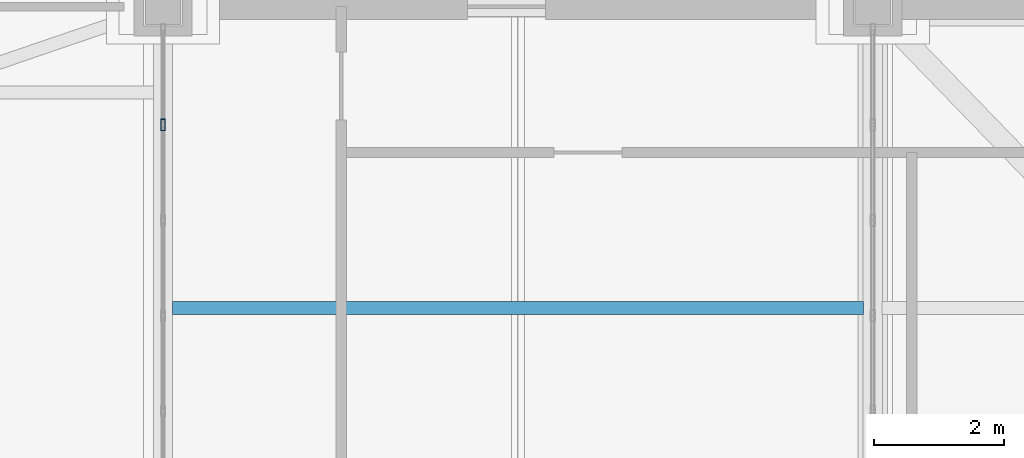
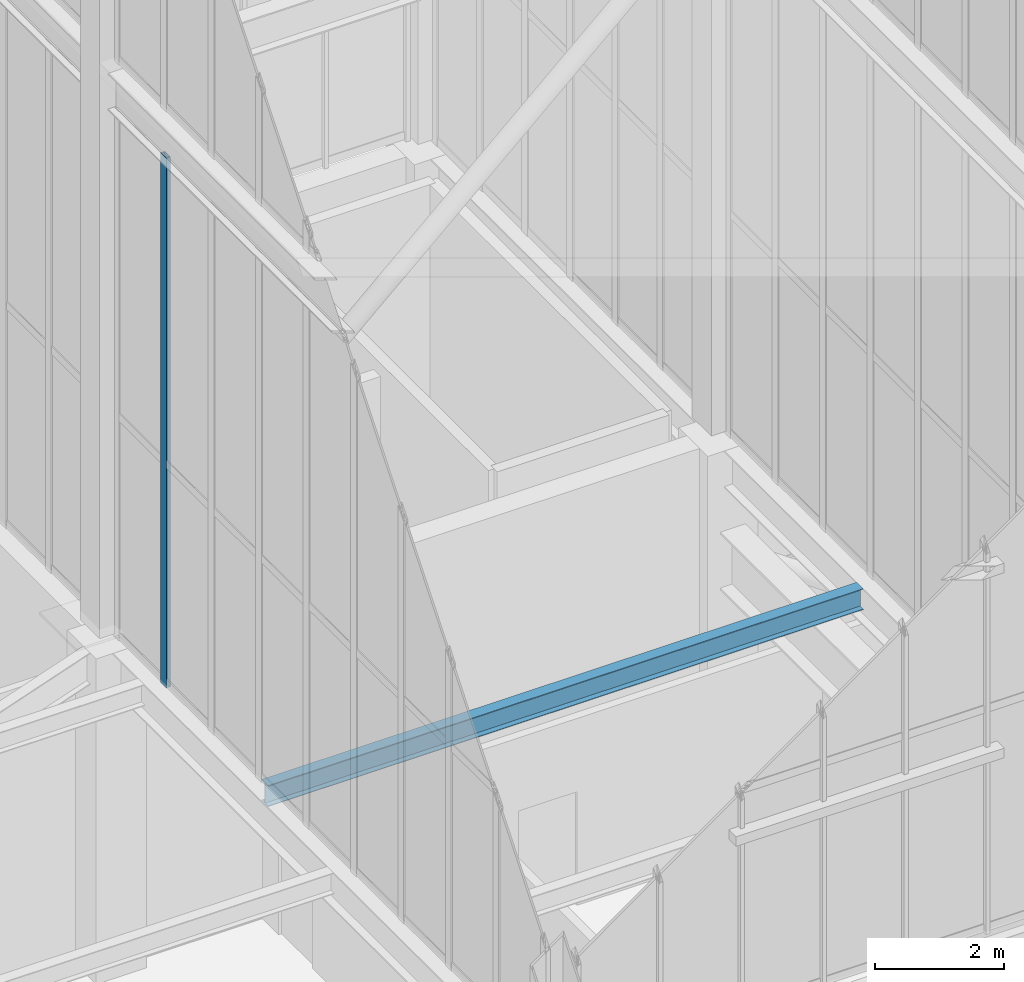
# One storey, part 8 of 135: 1 beam, 1 member, 1 element without a shape of its own.
"""IFC4 building model written with IfcOpenShell, lengths in metres."""

import ifcopenshell
import ifcopenshell.guid

model = None  # the IFC model being written
_history = None  # IfcOwnerHistory: only IFC2X3 demands one
_inside = {}  # id of a spatial element -> (the spatial element, [elements in it])
_under = {}  # id of a project, library or spatial element -> (it, [spatial elements below it])
_declared = {}  # id of a project -> (the project, [libraries it declares])
_typed = {}  # id of a type object -> (the type object, [elements of that type])
_made_of = {}  # id of a material, layer set ... -> (it, [elements and type objects made of it])


def new_model(schema):
    """Start an empty IFC model of exactly this schema.

    Asked for "IFC4X3", IfcOpenShell would pick the latest addendum, in which some entities
    have other attributes; the version numbers below select the first issue.
    IFC2X3 requires an IfcOwnerHistory on every rooted entity: one is made here for all.
    """
    global model, _history
    if schema == "IFC4X3":
        model = ifcopenshell.file(schema_version=(4, 3, 0, 0))
    else:
        model = ifcopenshell.file(schema=schema)
    _inside.clear()
    _under.clear()
    _declared.clear()
    _typed.clear()
    _made_of.clear()
    _history = None
    if model.schema == "IFC2X3":
        org = make("IfcOrganization", Name="unknown")
        user = make(
            "IfcPersonAndOrganization",
            ThePerson=make("IfcPerson", FamilyName="unknown"),
            TheOrganization=org,
        )
        app = make(
            "IfcApplication",
            ApplicationDeveloper=org,
            Version="unknown",
            ApplicationFullName="unknown",
            ApplicationIdentifier="unknown",
        )
        _history = make(
            "IfcOwnerHistory",
            OwningUser=user,
            OwningApplication=app,
            ChangeAction="ADDED",
            CreationDate=0,
        )
    return model


def make(cls, **values):
    """One entity of the class cls with the attributes given. An attribute that is None is left unset."""
    return model.create_entity(
        cls, **{name: value for name, value in values.items() if value is not None}
    )


def rooted(cls, **values):
    """An entity with a GlobalId (a new one), such as an element, a storey or a relation."""
    return make(cls, GlobalId=ifcopenshell.guid.new(), OwnerHistory=_history, **values)


def si_unit(unit_type, name, prefix=None):
    """IfcSIUnit, for example si_unit("LENGTHUNIT", "METRE", prefix="MILLI")."""
    return make("IfcSIUnit", UnitType=unit_type, Prefix=prefix, Name=name)


def assignment(units):
    """IfcUnitAssignment: the units of a project."""
    return None if units is None else make("IfcUnitAssignment", Units=units)


def point(xyz):
    """IfcCartesianPoint."""
    return None if xyz is None else make("IfcCartesianPoint", Coordinates=xyz)


def direction(xyz):
    """IfcDirection."""
    return None if xyz is None else make("IfcDirection", DirectionRatios=xyz)


def frame(location, z_axis=None, x_axis=None):
    """IfcAxis2Placement3D, a coordinate frame: its origin and axes. An axis left out is left unset."""
    return make(
        "IfcAxis2Placement3D",
        Location=point(location),
        Axis=direction(z_axis),
        RefDirection=direction(x_axis),
    )


def frame_2d(location, x_axis=None):
    """IfcAxis2Placement2D, a coordinate frame in the plane: its origin and x axis."""
    return make(
        "IfcAxis2Placement2D", Location=point(location), RefDirection=direction(x_axis)
    )


def origin():
    """The frame at (0, 0, 0) with its axes left unset."""
    return frame((0.0, 0.0, 0.0))


def origin_2d():
    """The frame at (0, 0) in the plane with its x axis left unset."""
    return frame_2d((0.0, 0.0))


def place(relative_to, where):
    """IfcLocalPlacement: puts the frame where relative to a parent placement (None: the world)."""
    return make(
        "IfcLocalPlacement", PlacementRelTo=relative_to, RelativePlacement=where
    )


def context(
    kind, dimensions, precision=None, world=None, true_north=None, identifier=None
):
    """IfcGeometricRepresentationContext, for example the 3D "Model" context."""
    return make(
        "IfcGeometricRepresentationContext",
        ContextIdentifier=identifier,
        ContextType=kind,
        CoordinateSpaceDimension=dimensions,
        Precision=precision,
        WorldCoordinateSystem=world,
        TrueNorth=true_north,
    )


def subcontext(parent, identifier, kind, view, scale=None):
    """IfcGeometricRepresentationSubContext, for example "Body" below "Model"."""
    return make(
        "IfcGeometricRepresentationSubContext",
        ContextIdentifier=identifier,
        ContextType=kind,
        ParentContext=parent,
        TargetScale=scale,
        TargetView=view,
    )


def project(units=None, contexts=None):
    """IfcProject with its units and contexts."""
    return rooted(
        "IfcProject",
        Name="project",
        RepresentationContexts=contexts,
        UnitsInContext=assignment(units),
    )


def spatial(cls, under=None, at=None, **own):
    """A site, building, storey or space (cls), placed at a placement, below another one or the project."""
    s = rooted(cls, ObjectPlacement=at, **own)
    if under is not None:
        _under.setdefault(under.id(), (under, []))[1].append(s)
    return s


def profile(cls, at=None, kind="AREA", **sizes):
    """A parametric profile (cls). Its sizes go by their IFC names, for example OverallWidth=200.0."""
    return make(cls, ProfileType=kind, Position=at, **sizes)


def hollow_rectangle(**sizes):
    """IfcRectangleHollowProfileDef."""
    return profile("IfcRectangleHollowProfileDef", **sizes)


def i_section(**sizes):
    """IfcIShapeProfileDef."""
    return profile("IfcIShapeProfileDef", **sizes)


def extrude(swept, where, along, depth):
    """IfcExtrudedAreaSolid: the profile swept, set in the frame where, extruded along a direction by depth."""
    return make(
        "IfcExtrudedAreaSolid",
        SweptArea=swept,
        Position=where,
        ExtrudedDirection=direction(along),
        Depth=depth,
    )


def shape(context_of_items, identifier, shape_type, items):
    """IfcShapeRepresentation: the items that make up one representation, for example the "Body"."""
    return make(
        "IfcShapeRepresentation",
        ContextOfItems=context_of_items,
        RepresentationIdentifier=identifier,
        RepresentationType=shape_type,
        Items=items,
    )


def source(mapping_origin, context_of_items, identifier, shape_type, items):
    """IfcRepresentationMap: a shape defined once, which mapped items show again and again."""
    return make(
        "IfcRepresentationMap",
        MappingOrigin=mapping_origin,
        MappedRepresentation=shape(context_of_items, identifier, shape_type, items),
    )


def transform(
    local_origin,
    x_axis=None,
    y_axis=None,
    z_axis=None,
    scale=None,
    scale2=None,
    scale3=None,
    uniform=True,
):
    """IfcCartesianTransformationOperator3D, or its non-uniform kind. x_axis, y_axis, z_axis: its Axis1, 2, 3."""
    if uniform:
        return make(
            "IfcCartesianTransformationOperator3D",
            Axis1=direction(x_axis),
            Axis2=direction(y_axis),
            LocalOrigin=point(local_origin),
            Scale=scale,
            Axis3=direction(z_axis),
        )
    return make(
        "IfcCartesianTransformationOperator3DnonUniform",
        Axis1=direction(x_axis),
        Axis2=direction(y_axis),
        LocalOrigin=point(local_origin),
        Scale=scale,
        Axis3=direction(z_axis),
        Scale2=scale2,
        Scale3=scale3,
    )


def mapped(mapping_source, mapping_target):
    """IfcMappedItem: shows the shape of a source again, moved by a transform."""
    return make(
        "IfcMappedItem", MappingSource=mapping_source, MappingTarget=mapping_target
    )


def material(Name=None, Category=None):
    """IfcMaterial."""
    return make("IfcMaterial", Name=Name, Category=Category)


def layer(
    of_material, thickness, ventilated=None, Name=None, Category=None, Priority=None
):
    """IfcMaterialLayer: one layer of a wall or slab, of a material (None: an air gap)."""
    return make(
        "IfcMaterialLayer",
        Material=of_material,
        LayerThickness=thickness,
        IsVentilated=ventilated,
        Name=Name,
        Category=Category,
        Priority=Priority,
    )


def layer_set(layers, Name=None):
    """IfcMaterialLayerSet."""
    return make("IfcMaterialLayerSet", MaterialLayers=layers, LayerSetName=Name)


def material_profile(
    of_material, cross_section, Name=None, Category=None, Priority=None
):
    """IfcMaterialProfile: a cross section and its material."""
    return make(
        "IfcMaterialProfile",
        Name=Name,
        Material=of_material,
        Profile=cross_section,
        Priority=Priority,
        Category=Category,
    )


def profile_set(profiles, Name=None, composite=None):
    """IfcMaterialProfileSet."""
    return make(
        "IfcMaterialProfileSet",
        Name=Name,
        MaterialProfiles=profiles,
        CompositeProfile=composite,
    )


def made_of(thing, what):
    """Note that an element or type object is made of a material, layer set ...; save() writes the relation."""
    if what is not None:
        _made_of.setdefault(what.id(), (what, []))[1].append(thing)
    return thing


def type_object(cls, material=None, **own):
    """A type object (cls), such as IfcWallType, which elements share."""
    return made_of(rooted(cls, **own), material)


def element(
    cls,
    number,
    at=None,
    inside=None,
    cuts=None,
    type_object=None,
    material=None,
    context=None,
    identifier="Body",
    shape_type=None,
    held_by="IfcProductDefinitionShape",
    body=None,
    shapes=None,
    **own,
):
    """One element of the class cls, such as IfcWall. Its Tag is "e" and its number.

    at: its placement. inside: the storey or other place that contains it. cuts: it is an
    opening in that element (IfcRelVoidsElement). A single representation is given by context,
    identifier, shape_type and body (its items); several are given by shapes. held_by: the class
    of the entity that holds the representations. save() writes the other relations.
    """
    e = rooted(cls, Tag="e%d" % number, ObjectPlacement=at, **own)
    if body is not None:
        shapes = [shape(context, identifier, shape_type, body)]
    if shapes is not None:
        e.Representation = make(held_by, Representations=shapes)
    if inside is not None:
        _inside.setdefault(inside.id(), (inside, []))[1].append(e)
    if cuts is not None:
        rooted(
            "IfcRelVoidsElement", RelatingBuildingElement=cuts, RelatedOpeningElement=e
        )
    if type_object is not None:
        _typed.setdefault(type_object.id(), (type_object, []))[1].append(e)
    return made_of(e, material)


def aggregate(whole, parts):
    """IfcRelAggregates: a whole, such as a stair, and the parts it consists of."""
    return rooted("IfcRelAggregates", RelatingObject=whole, RelatedObjects=parts)


def save(model, path):
    """Write the relations noted so far, then the file.

    IfcRelAggregates (storeys below a building ...), IfcRelContainedInSpatialStructure (elements
    in a storey), IfcRelDefinesByType, IfcRelAssociatesMaterial and IfcRelDeclares: one each for
    every whole, place, type object, material and project.
    """
    for whole, parts in _under.values():
        aggregate(whole, parts)
    for where, things in _inside.values():
        rooted(
            "IfcRelContainedInSpatialStructure",
            RelatedElements=things,
            RelatingStructure=where,
        )
    for kind, things in _typed.values():
        rooted("IfcRelDefinesByType", RelatedObjects=things, RelatingType=kind)
    for what, things in _made_of.values():
        rooted("IfcRelAssociatesMaterial", RelatedObjects=things, RelatingMaterial=what)
    for by, libraries in _declared.values():
        rooted("IfcRelDeclares", RelatingContext=by, RelatedDefinitions=libraries)
    model.write(path)


model = new_model("IFC4")

# Units and contexts
model_context = context("Model", 3, precision=1e-05, world=origin(), true_north=direction((0.0, 1.0)))
body_context = subcontext(model_context, "Body", "Model", "MODEL_VIEW")
ifc_project = project(units=[si_unit("LENGTHUNIT", "METRE"), si_unit("AREAUNIT", "SQUARE_METRE"), si_unit("VOLUMEUNIT", "CUBIC_METRE"), si_unit("PLANEANGLEUNIT", "RADIAN"), si_unit("MASSUNIT", "GRAM", prefix="KILO")], contexts=[model_context])

# Site, building, storey
site_placement = place(None, origin())
site = spatial("IfcSite", under=ifc_project, at=site_placement, CompositionType="ELEMENT")
building_placement = place(site_placement, origin())
building = spatial("IfcBuilding", under=site, at=building_placement, Name="Giltprow Tower", CompositionType="ELEMENT")
storey_placement = place(building_placement, frame((0.0, 0.0, 352.699951171875)))
storey = spatial("IfcBuildingStorey", under=building, at=storey_placement, Name="L92", CompositionType="ELEMENT", Elevation=352.699951171875)

# Beam
ifc_material_1 = material(Name="Structural steel Q355B", Category="steel")
ifc_material_profile_1 = material_profile(ifc_material_1, i_section(OverallWidth=0.199951171875, OverallDepth=0.39990234375, WebThickness=0.008056640625, FlangeThickness=0.012939453125, at=origin_2d()), Name="HN 400x200x8x13")
ifc_profile_set_1 = profile_set([ifc_material_profile_1], Name="Structural steel Q355B")
beam_type = type_object("IfcBeamType", Name="BM-JOIST-HN400", PredefinedType="JOIST", material=ifc_profile_set_1)
shared_shape_1 = source(origin(), body_context, "Body", "SweptSolid", [
    extrude(i_section(OverallWidth=0.199951171875, OverallDepth=0.39990234375, WebThickness=0.008056640625, FlangeThickness=0.012939453125, at=origin_2d()), origin(), (0.0, 0.0, 1.0), 10.659912109375),
])
beam_placement = place(storey_placement, frame((19.9951171875, 32.800048828125, 5.9599609375), z_axis=(1.0, 0.0, 0.0), x_axis=(0.0, 1.0, 0.0)))
element("IfcBeam", 1, at=beam_placement, inside=storey, type_object=beam_type, Name="L92 Composite Floor Joist 2-1", PredefinedType="JOIST", context=body_context, shape_type="MappedRepresentation", body=[
    mapped(shared_shape_1, transform((0.0, 0.0, 0.0), x_axis=(1.0, 0.0, 0.0), y_axis=(0.0, 1.0, 0.0), z_axis=(0.0, 0.0, 1.0), scale=1.0)),
])

# Curtain wall, member
ifc_material_2 = material(Name="Anodized bronze", Category="metal")
ifc_layer = layer(ifc_material_2, 0.179931640625, Name="Anodized bronze")
ifc_layer_set = layer_set([ifc_layer], Name="Anodized bronze")
curtain_wall_type = type_object("IfcCurtainWallType", Name="CW-CROWN-LANTERN", PredefinedType="NOTDEFINED", material=ifc_layer_set)
curtain_wall_placement = place(storey_placement, origin())
curtain_wall = element("IfcCurtainWall", 2, at=curtain_wall_placement, inside=storey, type_object=curtain_wall_type, Name="Crown West Lower Lantern Glazing 6", PredefinedType="NOTDEFINED")
ifc_material_profile_2 = material_profile(ifc_material_2, hollow_rectangle(XDim=0.074951171875, YDim=0.179931640625, WallThickness=0.008056640625, at=origin_2d()), Name="RHS 180x75x8")
ifc_profile_set_2 = profile_set([ifc_material_profile_2], Name="Anodized bronze")
member_type = type_object("IfcMemberType", Name="CW-MULLION-180x75", PredefinedType="MULLION", material=ifc_profile_set_2)
shared_shape_2 = source(origin(), body_context, "Body", "SweptSolid", [
    extrude(hollow_rectangle(XDim=0.074951171875, YDim=0.179931640625, WallThickness=0.008056640625, at=origin_2d()), origin(), (0.0, 0.0, 1.0), 10.030029296875),
])
member_placement = place(storey_placement, frame((19.85009765625, 35.6279296875, 6.35009765625), z_axis=(0.0, 0.0, 1.0), x_axis=(1.0, 0.0, 0.0)))
member = element("IfcMember", 3, at=member_placement, type_object=member_type, Name="Crown West Lower Lantern Glazing 6 Mullion 2", PredefinedType="MULLION", context=body_context, shape_type="MappedRepresentation", body=[
    mapped(shared_shape_2, transform((0.0, 0.0, 0.0), x_axis=(1.0, 0.0, 0.0), y_axis=(0.0, 1.0, 0.0), z_axis=(0.0, 0.0, 1.0), scale=1.0)),
])
aggregate(curtain_wall, [member])

save(model, "model.ifc")
